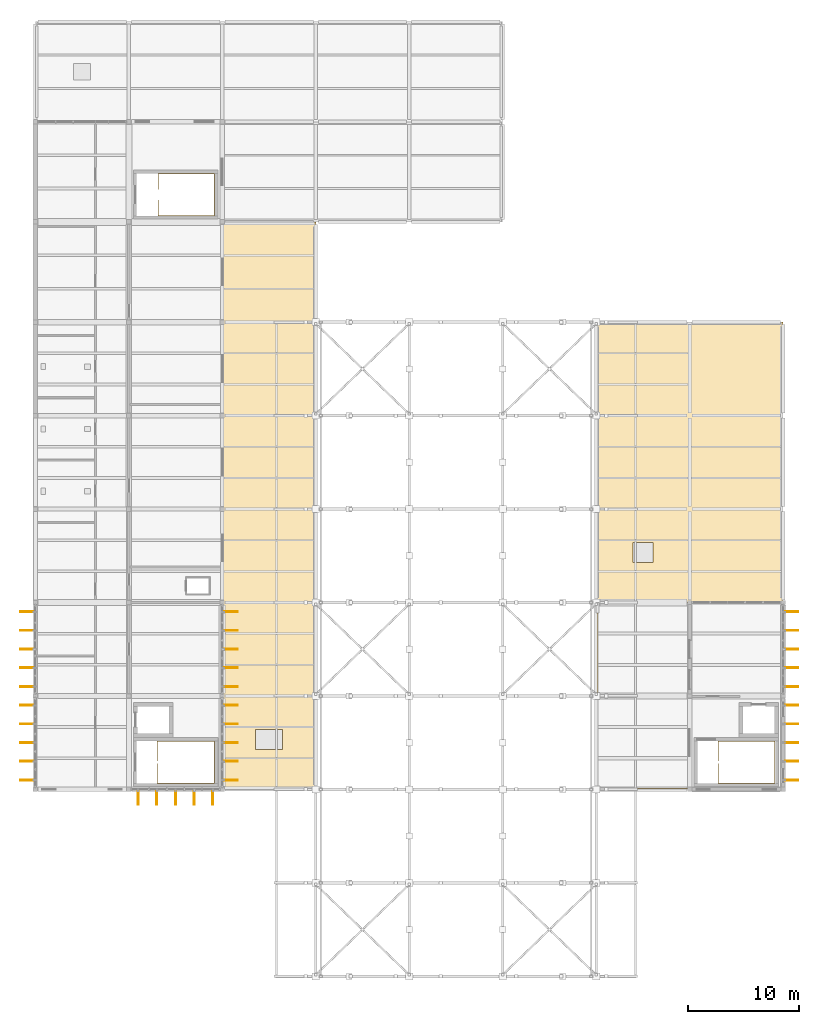
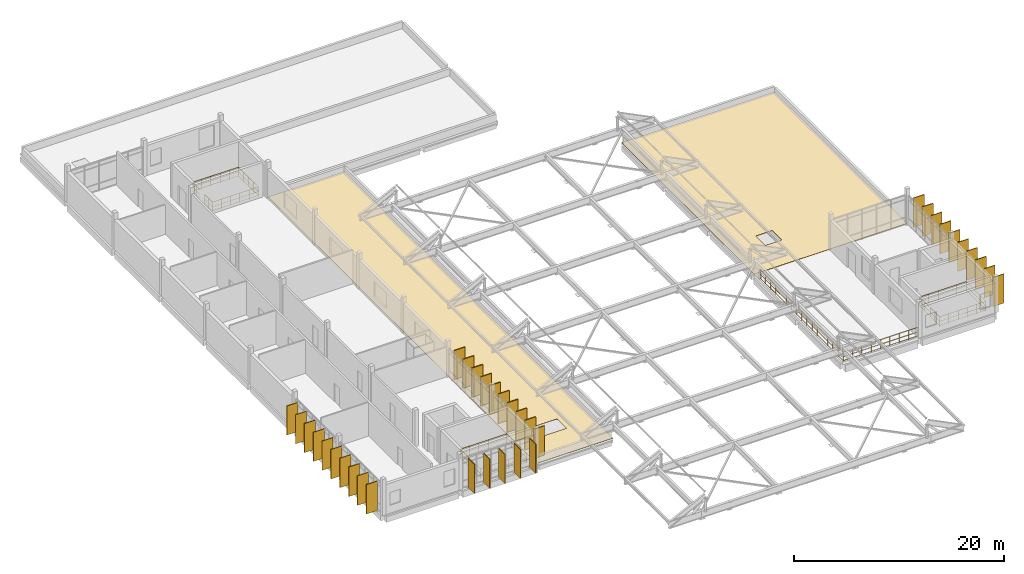
# One storey, part 39 of 41: 35 shading devices, 4 railings, 2 coverings.
"""IFC4 building model written with IfcOpenShell, lengths in metres."""

from ifc_helpers import new_model, si_unit, direction, frame, origin, origin_2d, place, context, subcontext, project, spatial, polyline, rectangle, circle, outline, extrude, material, layer, layer_set, material_profile, profile_set, type_object, element, save


model = new_model("IFC4")

# Units and contexts
model_context = context("Model", 3, precision=1e-05, world=origin(), true_north=direction((0.0, 1.0)))
body_context = subcontext(model_context, "Body", "Model", "MODEL_VIEW")
ifc_project = project(units=[si_unit("LENGTHUNIT", "METRE"), si_unit("AREAUNIT", "SQUARE_METRE"), si_unit("VOLUMEUNIT", "CUBIC_METRE"), si_unit("PLANEANGLEUNIT", "RADIAN"), si_unit("MASSUNIT", "GRAM", prefix="KILO")], contexts=[model_context])

# Site, building, storey
site_placement = place(None, origin())
site = spatial("IfcSite", under=ifc_project, at=site_placement, CompositionType="ELEMENT")
building_placement = place(site_placement, origin())
building = spatial("IfcBuilding", under=site, at=building_placement, Name="Vireocrest Preparatory School", CompositionType="ELEMENT")
storey_placement = place(building_placement, frame((0.0, 0.0, 21.60009765625)))
storey = spatial("IfcBuildingStorey", under=building, at=storey_placement, Name="L05", CompositionType="ELEMENT", Elevation=21.60009765625)

# Railings
ifc_material_1 = material(Name="Brushed stainless steel AISI 316", Category="steel")
railing_type = type_object("IfcRailingType", Name="Post-and-Rail Guard Balustrade 1120", PredefinedType="BALUSTRADE", material=ifc_material_1)
railing_1_placement = place(storey_placement, frame((100.719970703125, 43.8798828125, 0.0)))
element("IfcRailing", 1, at=railing_1_placement, inside=storey, type_object=railing_type, Name="Terrace and Deck Guard Balustrade GR1 L05 BOT_L05_TERR", PredefinedType="BALUSTRADE", context=body_context, shape_type="SweptSolid", body=[
    extrude(circle(Radius=0.02392578125, at=origin_2d()), frame((0.0, 0.0, 1.09619140625), z_axis=(-1.0, 0.0, 0.0), x_axis=(0.0, -1.0, 0.0)), (0.0, 0.0, 1.0), 8.18994140625),
    extrude(circle(Radius=0.01806640625, at=origin_2d()), frame((0.0, 0.0, 0.56005859375), z_axis=(-1.0, 0.0, 0.0), x_axis=(0.0, -1.0, 0.0)), (0.0, 0.0, 1.0), 8.18994140625),
    extrude(circle(Radius=0.01806640625, at=origin_2d()), frame((0.0, 0.0, 0.10009765625), z_axis=(-1.0, 0.0, 0.0), x_axis=(0.0, -1.0, 0.0)), (0.0, 0.0, 1.0), 8.18994140625),
    extrude(circle(Radius=0.02392578125, at=origin_2d()), frame((-8.18994140625, 0.0, 1.09619140625), z_axis=(0.0, 1.0, 0.0), x_axis=(-1.0, 0.0, 0.0)), (0.0, 0.0, 1.0), 15.7900390625),
    extrude(circle(Radius=0.01806640625, at=origin_2d()), frame((-8.18994140625, 0.0, 0.56005859375), z_axis=(0.0, 1.0, 0.0), x_axis=(-1.0, 0.0, 0.0)), (0.0, 0.0, 1.0), 15.7900390625),
    extrude(circle(Radius=0.01806640625, at=origin_2d()), frame((-8.18994140625, 0.0, 0.10009765625), z_axis=(0.0, 1.0, 0.0), x_axis=(-1.0, 0.0, 0.0)), (0.0, 0.0, 1.0), 15.7900390625),
    extrude(circle(Radius=0.02099609375, at=origin_2d()), origin(), (0.0, 0.0, 1.0), 1.072021484375),
    extrude(circle(Radius=0.02099609375, at=origin_2d()), frame((-1.023681640625, 0.0, 0.0)), (0.0, 0.0, 1.0), 1.072021484375),
    extrude(circle(Radius=0.02099609375, at=origin_2d()), frame((-2.04736328125, 0.0, 0.0)), (0.0, 0.0, 1.0), 1.072021484375),
    extrude(circle(Radius=0.02099609375, at=origin_2d()), frame((-3.0712890625, 0.0, 0.0)), (0.0, 0.0, 1.0), 1.072021484375),
    extrude(circle(Radius=0.02099609375, at=origin_2d()), frame((-4.094970703125, 0.0, 0.0)), (0.0, 0.0, 1.0), 1.072021484375),
    extrude(circle(Radius=0.02099609375, at=origin_2d()), frame((-5.11865234375, 0.0, 0.0)), (0.0, 0.0, 1.0), 1.072021484375),
    extrude(circle(Radius=0.02099609375, at=origin_2d()), frame((-6.142578125, 0.0, 0.0)), (0.0, 0.0, 1.0), 1.072021484375),
    extrude(circle(Radius=0.02099609375, at=origin_2d()), frame((-7.166259765625, 0.0, 0.0)), (0.0, 0.0, 1.0), 1.072021484375),
    extrude(circle(Radius=0.02099609375, at=origin_2d()), frame((-8.18994140625, 0.0, 0.0)), (0.0, 0.0, 1.0), 1.072021484375),
    extrude(circle(Radius=0.02099609375, at=origin_2d()), frame((-8.18994140625, 0.98681640625, 0.0)), (0.0, 0.0, 1.0), 1.072021484375),
    extrude(circle(Radius=0.02099609375, at=origin_2d()), frame((-8.18994140625, 1.9736328125, 0.0)), (0.0, 0.0, 1.0), 1.072021484375),
    extrude(circle(Radius=0.02099609375, at=origin_2d()), frame((-8.18994140625, 2.960693359375, 0.0)), (0.0, 0.0, 1.0), 1.072021484375),
    extrude(circle(Radius=0.02099609375, at=origin_2d()), frame((-8.18994140625, 3.947509765625, 0.0)), (0.0, 0.0, 1.0), 1.072021484375),
    extrude(circle(Radius=0.02099609375, at=origin_2d()), frame((-8.18994140625, 4.934326171875, 0.0)), (0.0, 0.0, 1.0), 1.072021484375),
    extrude(circle(Radius=0.02099609375, at=origin_2d()), frame((-8.18994140625, 5.92138671875, 0.0)), (0.0, 0.0, 1.0), 1.072021484375),
    extrude(circle(Radius=0.02099609375, at=origin_2d()), frame((-8.18994140625, 6.908203125, 0.0)), (0.0, 0.0, 1.0), 1.072021484375),
    extrude(circle(Radius=0.02099609375, at=origin_2d()), frame((-8.18994140625, 7.89501953125, 0.0)), (0.0, 0.0, 1.0), 1.072021484375),
    extrude(circle(Radius=0.02099609375, at=origin_2d()), frame((-8.18994140625, 8.8818359375, 0.0)), (0.0, 0.0, 1.0), 1.072021484375),
    extrude(circle(Radius=0.02099609375, at=origin_2d()), frame((-8.18994140625, 9.86865234375, 0.0)), (0.0, 0.0, 1.0), 1.072021484375),
    extrude(circle(Radius=0.02099609375, at=origin_2d()), frame((-8.18994140625, 10.855712890625, 0.0)), (0.0, 0.0, 1.0), 1.072021484375),
    extrude(circle(Radius=0.02099609375, at=origin_2d()), frame((-8.18994140625, 11.842529296875, 0.0)), (0.0, 0.0, 1.0), 1.072021484375),
    extrude(circle(Radius=0.02099609375, at=origin_2d()), frame((-8.18994140625, 12.829345703125, 0.0)), (0.0, 0.0, 1.0), 1.072021484375),
    extrude(circle(Radius=0.02099609375, at=origin_2d()), frame((-8.18994140625, 13.81640625, 0.0)), (0.0, 0.0, 1.0), 1.072021484375),
    extrude(circle(Radius=0.02099609375, at=origin_2d()), frame((-8.18994140625, 14.80322265625, 0.0)), (0.0, 0.0, 1.0), 1.072021484375),
    extrude(circle(Radius=0.02099609375, at=origin_2d()), frame((-8.18994140625, 15.7900390625, 0.0)), (0.0, 0.0, 1.0), 1.072021484375),
])
railing_2_placement = place(storey_placement, frame((52.969970703125, 46.3701171875, 0.0)))
element("IfcRailing", 2, at=railing_2_placement, inside=storey, type_object=railing_type, Name="Top Stairwell Perimeter Guard ST1 L05", PredefinedType="BALUSTRADE", context=body_context, shape_type="SweptSolid", body=[
    extrude(circle(Radius=0.02392578125, at=origin_2d()), frame((0.0, 0.0, 1.09619140625), z_axis=(0.0, 1.0, 0.0), x_axis=(-1.0, 0.0, 0.0)), (0.0, 0.0, 1.0), 1.769775390625),
    extrude(circle(Radius=0.01806640625, at=origin_2d()), frame((0.0, 0.0, 0.56005859375), z_axis=(0.0, 1.0, 0.0), x_axis=(-1.0, 0.0, 0.0)), (0.0, 0.0, 1.0), 1.769775390625),
    extrude(circle(Radius=0.01806640625, at=origin_2d()), frame((0.0, 0.0, 0.10009765625), z_axis=(0.0, 1.0, 0.0), x_axis=(-1.0, 0.0, 0.0)), (0.0, 0.0, 1.0), 1.769775390625),
    extrude(circle(Radius=0.02392578125, at=origin_2d()), frame((0.0, 1.769775390625, 1.09619140625), z_axis=(1.0, 0.0, 0.0), x_axis=(0.0, 1.0, 0.0)), (0.0, 0.0, 1.0), 5.090087890625),
    extrude(circle(Radius=0.01806640625, at=origin_2d()), frame((0.0, 1.769775390625, 0.56005859375), z_axis=(1.0, 0.0, 0.0), x_axis=(0.0, 1.0, 0.0)), (0.0, 0.0, 1.0), 5.090087890625),
    extrude(circle(Radius=0.01806640625, at=origin_2d()), frame((0.0, 1.769775390625, 0.10009765625), z_axis=(1.0, 0.0, 0.0), x_axis=(0.0, 1.0, 0.0)), (0.0, 0.0, 1.0), 5.090087890625),
    extrude(circle(Radius=0.02392578125, at=origin_2d()), frame((5.090087890625, 1.769775390625, 1.09619140625), z_axis=(0.0, -1.0, 0.0), x_axis=(1.0, 0.0, 0.0)), (0.0, 0.0, 1.0), 3.77978515625),
    extrude(circle(Radius=0.01806640625, at=origin_2d()), frame((5.090087890625, 1.769775390625, 0.56005859375), z_axis=(0.0, -1.0, 0.0), x_axis=(1.0, 0.0, 0.0)), (0.0, 0.0, 1.0), 3.77978515625),
    extrude(circle(Radius=0.01806640625, at=origin_2d()), frame((5.090087890625, 1.769775390625, 0.10009765625), z_axis=(0.0, -1.0, 0.0), x_axis=(1.0, 0.0, 0.0)), (0.0, 0.0, 1.0), 3.77978515625),
    extrude(circle(Radius=0.02392578125, at=origin_2d()), frame((5.090087890625, -2.010009765625, 1.09619140625), z_axis=(-1.0, 0.0, 0.0), x_axis=(0.0, -1.0, 0.0)), (0.0, 0.0, 1.0), 5.090087890625),
    extrude(circle(Radius=0.01806640625, at=origin_2d()), frame((5.090087890625, -2.010009765625, 0.56005859375), z_axis=(-1.0, 0.0, 0.0), x_axis=(0.0, -1.0, 0.0)), (0.0, 0.0, 1.0), 5.090087890625),
    extrude(circle(Radius=0.01806640625, at=origin_2d()), frame((5.090087890625, -2.010009765625, 0.10009765625), z_axis=(-1.0, 0.0, 0.0), x_axis=(0.0, -1.0, 0.0)), (0.0, 0.0, 1.0), 5.090087890625),
    extrude(circle(Radius=0.02392578125, at=origin_2d()), frame((0.0, -2.010009765625, 1.09619140625), z_axis=(0.0, 1.0, 0.0), x_axis=(-1.0, 0.0, 0.0)), (0.0, 0.0, 1.0), 1.769775390625),
    extrude(circle(Radius=0.01806640625, at=origin_2d()), frame((0.0, -2.010009765625, 0.56005859375), z_axis=(0.0, 1.0, 0.0), x_axis=(-1.0, 0.0, 0.0)), (0.0, 0.0, 1.0), 1.769775390625),
    extrude(circle(Radius=0.01806640625, at=origin_2d()), frame((0.0, -2.010009765625, 0.10009765625), z_axis=(0.0, 1.0, 0.0), x_axis=(-1.0, 0.0, 0.0)), (0.0, 0.0, 1.0), 1.769775390625),
    extrude(circle(Radius=0.02099609375, at=origin_2d()), origin(), (0.0, 0.0, 1.0), 1.072021484375),
    extrude(circle(Radius=0.02099609375, at=origin_2d()), frame((0.0, 0.884765625, 0.0)), (0.0, 0.0, 1.0), 1.072021484375),
    extrude(circle(Radius=0.02099609375, at=origin_2d()), frame((0.0, 1.769775390625, 0.0)), (0.0, 0.0, 1.0), 1.072021484375),
    extrude(circle(Radius=0.02099609375, at=origin_2d()), frame((1.01806640625, 1.769775390625, 0.0)), (0.0, 0.0, 1.0), 1.072021484375),
    extrude(circle(Radius=0.02099609375, at=origin_2d()), frame((2.0361328125, 1.769775390625, 0.0)), (0.0, 0.0, 1.0), 1.072021484375),
    extrude(circle(Radius=0.02099609375, at=origin_2d()), frame((3.053955078125, 1.769775390625, 0.0)), (0.0, 0.0, 1.0), 1.072021484375),
    extrude(circle(Radius=0.02099609375, at=origin_2d()), frame((4.072021484375, 1.769775390625, 0.0)), (0.0, 0.0, 1.0), 1.072021484375),
    extrude(circle(Radius=0.02099609375, at=origin_2d()), frame((5.090087890625, 1.769775390625, 0.0)), (0.0, 0.0, 1.0), 1.072021484375),
    extrude(circle(Radius=0.02099609375, at=origin_2d()), frame((5.090087890625, 0.82470703125, 0.0)), (0.0, 0.0, 1.0), 1.072021484375),
    extrude(circle(Radius=0.02099609375, at=origin_2d()), frame((5.090087890625, -0.1201171875, 0.0)), (0.0, 0.0, 1.0), 1.072021484375),
    extrude(circle(Radius=0.02099609375, at=origin_2d()), frame((5.090087890625, -1.06494140625, 0.0)), (0.0, 0.0, 1.0), 1.072021484375),
    extrude(circle(Radius=0.02099609375, at=origin_2d()), frame((5.090087890625, -2.010009765625, 0.0)), (0.0, 0.0, 1.0), 1.072021484375),
    extrude(circle(Radius=0.02099609375, at=origin_2d()), frame((4.072021484375, -2.010009765625, 0.0)), (0.0, 0.0, 1.0), 1.072021484375),
    extrude(circle(Radius=0.02099609375, at=origin_2d()), frame((3.053955078125, -2.010009765625, 0.0)), (0.0, 0.0, 1.0), 1.072021484375),
    extrude(circle(Radius=0.02099609375, at=origin_2d()), frame((2.0361328125, -2.010009765625, 0.0)), (0.0, 0.0, 1.0), 1.072021484375),
    extrude(circle(Radius=0.02099609375, at=origin_2d()), frame((1.01806640625, -2.010009765625, 0.0)), (0.0, 0.0, 1.0), 1.072021484375),
    extrude(circle(Radius=0.02099609375, at=origin_2d()), frame((0.0, -2.010009765625, 0.0)), (0.0, 0.0, 1.0), 1.072021484375),
    extrude(circle(Radius=0.02099609375, at=origin_2d()), frame((0.0, -1.125, 0.0)), (0.0, 0.0, 1.0), 1.072021484375),
    extrude(circle(Radius=0.02099609375, at=origin_2d()), frame((0.0, -0.240234375, 0.0)), (0.0, 0.0, 1.0), 1.072021484375),
])
railing_3_placement = place(storey_placement, frame((103.3701171875, 46.3701171875, 0.0)))
element("IfcRailing", 3, at=railing_3_placement, inside=storey, type_object=railing_type, Name="Top Stairwell Perimeter Guard ST2 L05", PredefinedType="BALUSTRADE", context=body_context, shape_type="SweptSolid", body=[
    extrude(circle(Radius=0.02392578125, at=origin_2d()), frame((0.0, 0.0, 1.09619140625), z_axis=(0.0, 1.0, 0.0), x_axis=(-1.0, 0.0, 0.0)), (0.0, 0.0, 1.0), 1.769775390625),
    extrude(circle(Radius=0.01806640625, at=origin_2d()), frame((0.0, 0.0, 0.56005859375), z_axis=(0.0, 1.0, 0.0), x_axis=(-1.0, 0.0, 0.0)), (0.0, 0.0, 1.0), 1.769775390625),
    extrude(circle(Radius=0.01806640625, at=origin_2d()), frame((0.0, 0.0, 0.10009765625), z_axis=(0.0, 1.0, 0.0), x_axis=(-1.0, 0.0, 0.0)), (0.0, 0.0, 1.0), 1.769775390625),
    extrude(circle(Radius=0.02392578125, at=origin_2d()), frame((0.0, 1.769775390625, 1.09619140625), z_axis=(1.0, 0.0, 0.0), x_axis=(0.0, 1.0, 0.0)), (0.0, 0.0, 1.0), 5.08984375),
    extrude(circle(Radius=0.01806640625, at=origin_2d()), frame((0.0, 1.769775390625, 0.56005859375), z_axis=(1.0, 0.0, 0.0), x_axis=(0.0, 1.0, 0.0)), (0.0, 0.0, 1.0), 5.08984375),
    extrude(circle(Radius=0.01806640625, at=origin_2d()), frame((0.0, 1.769775390625, 0.10009765625), z_axis=(1.0, 0.0, 0.0), x_axis=(0.0, 1.0, 0.0)), (0.0, 0.0, 1.0), 5.08984375),
    extrude(circle(Radius=0.02392578125, at=origin_2d()), frame((5.08984375, 1.769775390625, 1.09619140625), z_axis=(0.0, -1.0, 0.0), x_axis=(1.0, 0.0, 0.0)), (0.0, 0.0, 1.0), 3.77978515625),
    extrude(circle(Radius=0.01806640625, at=origin_2d()), frame((5.08984375, 1.769775390625, 0.56005859375), z_axis=(0.0, -1.0, 0.0), x_axis=(1.0, 0.0, 0.0)), (0.0, 0.0, 1.0), 3.77978515625),
    extrude(circle(Radius=0.01806640625, at=origin_2d()), frame((5.08984375, 1.769775390625, 0.10009765625), z_axis=(0.0, -1.0, 0.0), x_axis=(1.0, 0.0, 0.0)), (0.0, 0.0, 1.0), 3.77978515625),
    extrude(circle(Radius=0.02392578125, at=origin_2d()), frame((5.08984375, -2.010009765625, 1.09619140625), z_axis=(-1.0, 0.0, 0.0), x_axis=(0.0, -1.0, 0.0)), (0.0, 0.0, 1.0), 5.08984375),
    extrude(circle(Radius=0.01806640625, at=origin_2d()), frame((5.08984375, -2.010009765625, 0.56005859375), z_axis=(-1.0, 0.0, 0.0), x_axis=(0.0, -1.0, 0.0)), (0.0, 0.0, 1.0), 5.08984375),
    extrude(circle(Radius=0.01806640625, at=origin_2d()), frame((5.08984375, -2.010009765625, 0.10009765625), z_axis=(-1.0, 0.0, 0.0), x_axis=(0.0, -1.0, 0.0)), (0.0, 0.0, 1.0), 5.08984375),
    extrude(circle(Radius=0.02392578125, at=origin_2d()), frame((0.0, -2.010009765625, 1.09619140625), z_axis=(0.0, 1.0, 0.0), x_axis=(-1.0, 0.0, 0.0)), (0.0, 0.0, 1.0), 1.769775390625),
    extrude(circle(Radius=0.01806640625, at=origin_2d()), frame((0.0, -2.010009765625, 0.56005859375), z_axis=(0.0, 1.0, 0.0), x_axis=(-1.0, 0.0, 0.0)), (0.0, 0.0, 1.0), 1.769775390625),
    extrude(circle(Radius=0.01806640625, at=origin_2d()), frame((0.0, -2.010009765625, 0.10009765625), z_axis=(0.0, 1.0, 0.0), x_axis=(-1.0, 0.0, 0.0)), (0.0, 0.0, 1.0), 1.769775390625),
    extrude(circle(Radius=0.02099609375, at=origin_2d()), origin(), (0.0, 0.0, 1.0), 1.072021484375),
    extrude(circle(Radius=0.02099609375, at=origin_2d()), frame((0.0, 0.884765625, 0.0)), (0.0, 0.0, 1.0), 1.072021484375),
    extrude(circle(Radius=0.02099609375, at=origin_2d()), frame((0.0, 1.769775390625, 0.0)), (0.0, 0.0, 1.0), 1.072021484375),
    extrude(circle(Radius=0.02099609375, at=origin_2d()), frame((1.01806640625, 1.769775390625, 0.0)), (0.0, 0.0, 1.0), 1.072021484375),
    extrude(circle(Radius=0.02099609375, at=origin_2d()), frame((2.035888671875, 1.769775390625, 0.0)), (0.0, 0.0, 1.0), 1.072021484375),
    extrude(circle(Radius=0.02099609375, at=origin_2d()), frame((3.053955078125, 1.769775390625, 0.0)), (0.0, 0.0, 1.0), 1.072021484375),
    extrude(circle(Radius=0.02099609375, at=origin_2d()), frame((4.07177734375, 1.769775390625, 0.0)), (0.0, 0.0, 1.0), 1.072021484375),
    extrude(circle(Radius=0.02099609375, at=origin_2d()), frame((5.08984375, 1.769775390625, 0.0)), (0.0, 0.0, 1.0), 1.072021484375),
    extrude(circle(Radius=0.02099609375, at=origin_2d()), frame((5.08984375, 0.82470703125, 0.0)), (0.0, 0.0, 1.0), 1.072021484375),
    extrude(circle(Radius=0.02099609375, at=origin_2d()), frame((5.08984375, -0.1201171875, 0.0)), (0.0, 0.0, 1.0), 1.072021484375),
    extrude(circle(Radius=0.02099609375, at=origin_2d()), frame((5.08984375, -1.06494140625, 0.0)), (0.0, 0.0, 1.0), 1.072021484375),
    extrude(circle(Radius=0.02099609375, at=origin_2d()), frame((5.08984375, -2.010009765625, 0.0)), (0.0, 0.0, 1.0), 1.072021484375),
    extrude(circle(Radius=0.02099609375, at=origin_2d()), frame((4.07177734375, -2.010009765625, 0.0)), (0.0, 0.0, 1.0), 1.072021484375),
    extrude(circle(Radius=0.02099609375, at=origin_2d()), frame((3.053955078125, -2.010009765625, 0.0)), (0.0, 0.0, 1.0), 1.072021484375),
    extrude(circle(Radius=0.02099609375, at=origin_2d()), frame((2.035888671875, -2.010009765625, 0.0)), (0.0, 0.0, 1.0), 1.072021484375),
    extrude(circle(Radius=0.02099609375, at=origin_2d()), frame((1.01806640625, -2.010009765625, 0.0)), (0.0, 0.0, 1.0), 1.072021484375),
    extrude(circle(Radius=0.02099609375, at=origin_2d()), frame((0.0, -2.010009765625, 0.0)), (0.0, 0.0, 1.0), 1.072021484375),
    extrude(circle(Radius=0.02099609375, at=origin_2d()), frame((0.0, -1.125, 0.0)), (0.0, 0.0, 1.0), 1.072021484375),
    extrude(circle(Radius=0.02099609375, at=origin_2d()), frame((0.0, -0.240234375, 0.0)), (0.0, 0.0, 1.0), 1.072021484375),
])
railing_4_placement = place(storey_placement, frame((53.02490234375, 97.719970703125, 0.0)))
element("IfcRailing", 4, at=railing_4_placement, inside=storey, type_object=railing_type, Name="Top Stairwell Perimeter Guard ST3 L05", PredefinedType="BALUSTRADE", context=body_context, shape_type="SweptSolid", body=[
    extrude(circle(Radius=0.02392578125, at=origin_2d()), frame((0.0, 0.0, 1.09619140625), z_axis=(0.0, 1.0, 0.0), x_axis=(-1.0, 0.0, 0.0)), (0.0, 0.0, 1.0), 1.419921875),
    extrude(circle(Radius=0.01806640625, at=origin_2d()), frame((0.0, 0.0, 0.56005859375), z_axis=(0.0, 1.0, 0.0), x_axis=(-1.0, 0.0, 0.0)), (0.0, 0.0, 1.0), 1.419921875),
    extrude(circle(Radius=0.01806640625, at=origin_2d()), frame((0.0, 0.0, 0.10009765625), z_axis=(0.0, 1.0, 0.0), x_axis=(-1.0, 0.0, 0.0)), (0.0, 0.0, 1.0), 1.419921875),
    extrude(circle(Radius=0.02392578125, at=origin_2d()), frame((0.0, 1.419921875, 1.09619140625), z_axis=(1.0, 0.0, 0.0), x_axis=(0.0, 1.0, 0.0)), (0.0, 0.0, 1.0), 5.03515625),
    extrude(circle(Radius=0.01806640625, at=origin_2d()), frame((0.0, 1.419921875, 0.56005859375), z_axis=(1.0, 0.0, 0.0), x_axis=(0.0, 1.0, 0.0)), (0.0, 0.0, 1.0), 5.03515625),
    extrude(circle(Radius=0.01806640625, at=origin_2d()), frame((0.0, 1.419921875, 0.10009765625), z_axis=(1.0, 0.0, 0.0), x_axis=(0.0, 1.0, 0.0)), (0.0, 0.0, 1.0), 5.03515625),
    extrude(circle(Radius=0.02392578125, at=origin_2d()), frame((5.03515625, 1.419921875, 1.09619140625), z_axis=(0.0, -1.0, 0.0), x_axis=(1.0, 0.0, 0.0)), (0.0, 0.0, 1.0), 3.77978515625),
    extrude(circle(Radius=0.01806640625, at=origin_2d()), frame((5.03515625, 1.419921875, 0.56005859375), z_axis=(0.0, -1.0, 0.0), x_axis=(1.0, 0.0, 0.0)), (0.0, 0.0, 1.0), 3.77978515625),
    extrude(circle(Radius=0.01806640625, at=origin_2d()), frame((5.03515625, 1.419921875, 0.10009765625), z_axis=(0.0, -1.0, 0.0), x_axis=(1.0, 0.0, 0.0)), (0.0, 0.0, 1.0), 3.77978515625),
    extrude(circle(Radius=0.02392578125, at=origin_2d()), frame((5.03515625, -2.35986328125, 1.09619140625), z_axis=(-1.0, 0.0, 0.0), x_axis=(0.0, -1.0, 0.0)), (0.0, 0.0, 1.0), 5.03515625),
    extrude(circle(Radius=0.01806640625, at=origin_2d()), frame((5.03515625, -2.35986328125, 0.56005859375), z_axis=(-1.0, 0.0, 0.0), x_axis=(0.0, -1.0, 0.0)), (0.0, 0.0, 1.0), 5.03515625),
    extrude(circle(Radius=0.01806640625, at=origin_2d()), frame((5.03515625, -2.35986328125, 0.10009765625), z_axis=(-1.0, 0.0, 0.0), x_axis=(0.0, -1.0, 0.0)), (0.0, 0.0, 1.0), 5.03515625),
    extrude(circle(Radius=0.02392578125, at=origin_2d()), frame((0.0, -2.35986328125, 1.09619140625), z_axis=(0.0, 1.0, 0.0), x_axis=(-1.0, 0.0, 0.0)), (0.0, 0.0, 1.0), 1.419921875),
    extrude(circle(Radius=0.01806640625, at=origin_2d()), frame((0.0, -2.35986328125, 0.56005859375), z_axis=(0.0, 1.0, 0.0), x_axis=(-1.0, 0.0, 0.0)), (0.0, 0.0, 1.0), 1.419921875),
    extrude(circle(Radius=0.01806640625, at=origin_2d()), frame((0.0, -2.35986328125, 0.10009765625), z_axis=(0.0, 1.0, 0.0), x_axis=(-1.0, 0.0, 0.0)), (0.0, 0.0, 1.0), 1.419921875),
    extrude(circle(Radius=0.02099609375, at=origin_2d()), origin(), (0.0, 0.0, 1.0), 1.072021484375),
    extrude(circle(Radius=0.02099609375, at=origin_2d()), frame((0.0, 0.7099609375, 0.0)), (0.0, 0.0, 1.0), 1.072021484375),
    extrude(circle(Radius=0.02099609375, at=origin_2d()), frame((0.0, 1.419921875, 0.0)), (0.0, 0.0, 1.0), 1.072021484375),
    extrude(circle(Radius=0.02099609375, at=origin_2d()), frame((1.007080078125, 1.419921875, 0.0)), (0.0, 0.0, 1.0), 1.072021484375),
    extrude(circle(Radius=0.02099609375, at=origin_2d()), frame((2.01416015625, 1.419921875, 0.0)), (0.0, 0.0, 1.0), 1.072021484375),
    extrude(circle(Radius=0.02099609375, at=origin_2d()), frame((3.02099609375, 1.419921875, 0.0)), (0.0, 0.0, 1.0), 1.072021484375),
    extrude(circle(Radius=0.02099609375, at=origin_2d()), frame((4.028076171875, 1.419921875, 0.0)), (0.0, 0.0, 1.0), 1.072021484375),
    extrude(circle(Radius=0.02099609375, at=origin_2d()), frame((5.03515625, 1.419921875, 0.0)), (0.0, 0.0, 1.0), 1.072021484375),
    extrude(circle(Radius=0.02099609375, at=origin_2d()), frame((5.03515625, 0.47509765625, 0.0)), (0.0, 0.0, 1.0), 1.072021484375),
    extrude(circle(Radius=0.02099609375, at=origin_2d()), frame((5.03515625, -0.469970703125, 0.0)), (0.0, 0.0, 1.0), 1.072021484375),
    extrude(circle(Radius=0.02099609375, at=origin_2d()), frame((5.03515625, -1.4150390625, 0.0)), (0.0, 0.0, 1.0), 1.072021484375),
    extrude(circle(Radius=0.02099609375, at=origin_2d()), frame((5.03515625, -2.35986328125, 0.0)), (0.0, 0.0, 1.0), 1.072021484375),
    extrude(circle(Radius=0.02099609375, at=origin_2d()), frame((4.028076171875, -2.35986328125, 0.0)), (0.0, 0.0, 1.0), 1.072021484375),
    extrude(circle(Radius=0.02099609375, at=origin_2d()), frame((3.02099609375, -2.35986328125, 0.0)), (0.0, 0.0, 1.0), 1.072021484375),
    extrude(circle(Radius=0.02099609375, at=origin_2d()), frame((2.01416015625, -2.35986328125, 0.0)), (0.0, 0.0, 1.0), 1.072021484375),
    extrude(circle(Radius=0.02099609375, at=origin_2d()), frame((1.007080078125, -2.35986328125, 0.0)), (0.0, 0.0, 1.0), 1.072021484375),
    extrude(circle(Radius=0.02099609375, at=origin_2d()), frame((0.0, -2.35986328125, 0.0)), (0.0, 0.0, 1.0), 1.072021484375),
    extrude(circle(Radius=0.02099609375, at=origin_2d()), frame((0.0, -1.64990234375, 0.0)), (0.0, 0.0, 1.0), 1.072021484375),
    extrude(circle(Radius=0.02099609375, at=origin_2d()), frame((0.0, -0.93994140625, 0.0)), (0.0, 0.0, 1.0), 1.072021484375),
])

# Coverings
ifc_material_2 = material(Name="TPO single-ply insulated roofing membrane")
ifc_layer = layer(ifc_material_2, 0.030029296875)
ifc_layer_set = layer_set([ifc_layer], Name="TPO single-ply insulated roofing membrane")
covering_type = type_object("IfcCoveringType", Name="TPO Insulated Single-Ply Roof Membrane", PredefinedType="ROOFING", material=ifc_layer_set)
covering_1_placement = place(storey_placement, origin())
element("IfcCovering", 5, at=covering_1_placement, inside=storey, type_object=covering_type, Name="Roof Membrane L05_WEST_COURT_ROOF", PredefinedType="ROOFING", context=body_context, shape_type="SweptSolid", body=[
    extrude(outline(polyline([(58.800048828125, 43.800048828125), (67.199951171875, 43.800048828125), (67.199951171875, 94.800048828125), (58.800048828125, 94.800048828125), (58.800048828125, 43.800048828125)]), holes=[polyline([(61.800048828125, 47.39990234375), (64.199951171875, 47.39990234375), (64.199951171875, 49.199951171875), (61.800048828125, 49.199951171875), (61.800048828125, 47.39990234375)])]), origin(), (0.0, 0.0, 1.0), 0.02978515625),
])
covering_2_placement = place(storey_placement, origin())
element("IfcCovering", 6, at=covering_2_placement, inside=storey, type_object=covering_type, Name="Roof Membrane L05_EAST_ROOF", PredefinedType="ROOFING", context=body_context, shape_type="SweptSolid", body=[
    extrude(outline(polyline([(92.39990234375, 60.60009765625), (109.199951171875, 60.60009765625), (109.199951171875, 85.800048828125), (92.39990234375, 85.800048828125), (92.39990234375, 60.60009765625)]), holes=[polyline([(95.699951171875, 64.199951171875), (97.5, 64.199951171875), (97.5, 66.0), (95.699951171875, 66.0), (95.699951171875, 64.199951171875)])]), origin(), (0.0, 0.0, 1.0), 0.02978515625),
])

# Shading devices
ifc_material_3 = material(Name="Warm anodised aluminium EN AW-6063-T6", Category="aluminium")
ifc_material_profile = material_profile(ifc_material_3, rectangle(XDim=0.080078125, YDim=1.199951171875, at=origin_2d()), Name="FIN 80x1200")
ifc_profile_set = profile_set([ifc_material_profile], Name="Warm anodised aluminium EN AW-6063-T6")
shading_device_type = type_object("IfcShadingDeviceType", Name="Vertical Anodised Aluminium Solar Fin 1200", PredefinedType="USERDEFINED", material=ifc_profile_set)
for number, where, z_axis, x_axis, name in (
    (7, (109.97998046875, 44.639892578125, 0.02001953125), (0.0, 0.0, 1.0), (0.0, -1.0, 0.0), "Vertical Solar Fin FN1 L05-62-1"),
    (8, (109.97998046875, 46.320068359375, 0.02001953125), (0.0, 0.0, 1.0), (0.0, -1.0, 0.0), "Vertical Solar Fin FN1 L05-62-2"),
    (9, (109.97998046875, 48.0, 0.02001953125), (0.0, 0.0, 1.0), (0.0, -1.0, 0.0), "Vertical Solar Fin FN1 L05-62-3"),
    (10, (109.97998046875, 49.679931640625, 0.02001953125), (0.0, 0.0, 1.0), (0.0, -1.0, 0.0), "Vertical Solar Fin FN1 L05-62-4"),
    (11, (109.97998046875, 51.360107421875, 0.02001953125), (0.0, 0.0, 1.0), (0.0, -1.0, 0.0), "Vertical Solar Fin FN1 L05-62-5"),
):
    element("IfcShadingDevice", number, at=place(storey_placement, frame(where, z_axis=z_axis, x_axis=x_axis)), inside=storey, type_object=shading_device_type, Name=name, ObjectType="FIN", PredefinedType="USERDEFINED", context=body_context, shape_type="SweptSolid", body=[
        extrude(rectangle(XDim=0.080078125, YDim=1.199951171875, at=origin_2d()), origin(), (0.0, 0.0, 1.0), 3.369873046875),
    ])
for number, where, z_axis, x_axis, name in (
    (12, (109.97998046875, 53.0400390625, 0.02001953125), (0.0, 0.0, 1.0), (0.0, -1.0, 0.0), "Vertical Solar Fin FN1 L05-63-1"),
    (13, (109.97998046875, 54.719970703125, 0.02001953125), (0.0, 0.0, 1.0), (0.0, -1.0, 0.0), "Vertical Solar Fin FN1 L05-63-2"),
    (14, (109.97998046875, 56.39990234375, 0.02001953125), (0.0, 0.0, 1.0), (0.0, -1.0, 0.0), "Vertical Solar Fin FN1 L05-63-3"),
    (15, (109.97998046875, 58.080078125, 0.02001953125), (0.0, 0.0, 1.0), (0.0, -1.0, 0.0), "Vertical Solar Fin FN1 L05-63-4"),
    (16, (109.97998046875, 59.760009765625, 0.02001953125), (0.0, 0.0, 1.0), (0.0, -1.0, 0.0), "Vertical Solar Fin FN1 L05-63-5"),
):
    element("IfcShadingDevice", number, at=place(storey_placement, frame(where, z_axis=z_axis, x_axis=x_axis)), inside=storey, type_object=shading_device_type, Name=name, ObjectType="FIN", PredefinedType="USERDEFINED", context=body_context, shape_type="SweptSolid", body=[
        extrude(rectangle(XDim=0.080078125, YDim=1.199951171875, at=origin_2d()), origin(), (0.0, 0.0, 1.0), 3.419921875),
    ])
for number, where, z_axis, x_axis, name in (
    (17, (51.239990234375, 43.02001953125, 0.02001953125), (0.0, 0.0, 1.0), (-1.0, 0.0, 0.0), "Vertical Solar Fin FN1 L05-64-1"),
    (18, (52.919921875, 43.02001953125, 0.02001953125), (0.0, 0.0, 1.0), (-1.0, 0.0, 0.0), "Vertical Solar Fin FN1 L05-64-2"),
    (19, (54.60009765625, 43.02001953125, 0.02001953125), (0.0, 0.0, 1.0), (-1.0, 0.0, 0.0), "Vertical Solar Fin FN1 L05-64-3"),
    (20, (56.280029296875, 43.02001953125, 0.02001953125), (0.0, 0.0, 1.0), (-1.0, 0.0, 0.0), "Vertical Solar Fin FN1 L05-64-4"),
    (21, (57.9599609375, 43.02001953125, 0.02001953125), (0.0, 0.0, 1.0), (-1.0, 0.0, 0.0), "Vertical Solar Fin FN1 L05-64-5"),
):
    element("IfcShadingDevice", number, at=place(storey_placement, frame(where, z_axis=z_axis, x_axis=x_axis)), inside=storey, type_object=shading_device_type, Name=name, ObjectType="FIN", PredefinedType="USERDEFINED", context=body_context, shape_type="SweptSolid", body=[
        extrude(rectangle(XDim=0.080078125, YDim=1.199951171875, at=origin_2d()), origin(), (0.0, 0.0, 1.0), 3.369873046875),
    ])
for number, where, z_axis, x_axis, name in (
    (22, (59.580078125, 44.639892578125, 0.02001953125), (0.0, 0.0, 1.0), (0.0, -1.0, 0.0), "Vertical Solar Fin FN1 L05-65-1"),
    (23, (59.580078125, 46.320068359375, 0.02001953125), (0.0, 0.0, 1.0), (0.0, -1.0, 0.0), "Vertical Solar Fin FN1 L05-65-2"),
    (24, (59.580078125, 48.0, 0.02001953125), (0.0, 0.0, 1.0), (0.0, -1.0, 0.0), "Vertical Solar Fin FN1 L05-65-3"),
    (25, (59.580078125, 49.679931640625, 0.02001953125), (0.0, 0.0, 1.0), (0.0, -1.0, 0.0), "Vertical Solar Fin FN1 L05-65-4"),
    (26, (59.580078125, 51.360107421875, 0.02001953125), (0.0, 0.0, 1.0), (0.0, -1.0, 0.0), "Vertical Solar Fin FN1 L05-65-5"),
):
    element("IfcShadingDevice", number, at=place(storey_placement, frame(where, z_axis=z_axis, x_axis=x_axis)), inside=storey, type_object=shading_device_type, Name=name, ObjectType="FIN", PredefinedType="USERDEFINED", context=body_context, shape_type="SweptSolid", body=[
        extrude(rectangle(XDim=0.080078125, YDim=1.199951171875, at=origin_2d()), origin(), (0.0, 0.0, 1.0), 3.419921875),
    ])
for number, where, z_axis, x_axis, name in (
    (27, (59.580078125, 53.0400390625, 0.02001953125), (0.0, 0.0, 1.0), (0.0, -1.0, 0.0), "Vertical Solar Fin FN1 L05-66-1"),
    (28, (59.580078125, 54.719970703125, 0.02001953125), (0.0, 0.0, 1.0), (0.0, -1.0, 0.0), "Vertical Solar Fin FN1 L05-66-2"),
    (29, (59.580078125, 56.39990234375, 0.02001953125), (0.0, 0.0, 1.0), (0.0, -1.0, 0.0), "Vertical Solar Fin FN1 L05-66-3"),
    (30, (59.580078125, 58.080078125, 0.02001953125), (0.0, 0.0, 1.0), (0.0, -1.0, 0.0), "Vertical Solar Fin FN1 L05-66-4"),
    (31, (59.580078125, 59.760009765625, 0.02001953125), (0.0, 0.0, 1.0), (0.0, -1.0, 0.0), "Vertical Solar Fin FN1 L05-66-5"),
):
    element("IfcShadingDevice", number, at=place(storey_placement, frame(where, z_axis=z_axis, x_axis=x_axis)), inside=storey, type_object=shading_device_type, Name=name, ObjectType="FIN", PredefinedType="USERDEFINED", context=body_context, shape_type="SweptSolid", body=[
        extrude(rectangle(XDim=0.080078125, YDim=1.199951171875, at=origin_2d()), origin(), (0.0, 0.0, 1.0), 3.369873046875),
    ])
for number, where, z_axis, x_axis, name in (
    (32, (41.219970703125, 44.639892578125, 0.02001953125), (0.0, 0.0, 1.0), (0.0, 1.0, 0.0), "Vertical Solar Fin FN1 L05-67-1"),
    (33, (41.219970703125, 46.320068359375, 0.02001953125), (0.0, 0.0, 1.0), (0.0, 1.0, 0.0), "Vertical Solar Fin FN1 L05-67-2"),
    (34, (41.219970703125, 48.0, 0.02001953125), (0.0, 0.0, 1.0), (0.0, 1.0, 0.0), "Vertical Solar Fin FN1 L05-67-3"),
    (35, (41.219970703125, 49.679931640625, 0.02001953125), (0.0, 0.0, 1.0), (0.0, 1.0, 0.0), "Vertical Solar Fin FN1 L05-67-4"),
    (36, (41.219970703125, 51.360107421875, 0.02001953125), (0.0, 0.0, 1.0), (0.0, 1.0, 0.0), "Vertical Solar Fin FN1 L05-67-5"),
):
    element("IfcShadingDevice", number, at=place(storey_placement, frame(where, z_axis=z_axis, x_axis=x_axis)), inside=storey, type_object=shading_device_type, Name=name, ObjectType="FIN", PredefinedType="USERDEFINED", context=body_context, shape_type="SweptSolid", body=[
        extrude(rectangle(XDim=0.080078125, YDim=1.199951171875, at=origin_2d()), origin(), (0.0, 0.0, 1.0), 3.419921875),
    ])
for number, where, z_axis, x_axis, name in (
    (37, (41.219970703125, 53.0400390625, 0.02001953125), (0.0, 0.0, 1.0), (0.0, 1.0, 0.0), "Vertical Solar Fin FN1 L05-68-1"),
    (38, (41.219970703125, 54.719970703125, 0.02001953125), (0.0, 0.0, 1.0), (0.0, 1.0, 0.0), "Vertical Solar Fin FN1 L05-68-2"),
    (39, (41.219970703125, 56.39990234375, 0.02001953125), (0.0, 0.0, 1.0), (0.0, 1.0, 0.0), "Vertical Solar Fin FN1 L05-68-3"),
    (40, (41.219970703125, 58.080078125, 0.02001953125), (0.0, 0.0, 1.0), (0.0, 1.0, 0.0), "Vertical Solar Fin FN1 L05-68-4"),
    (41, (41.219970703125, 59.760009765625, 0.02001953125), (0.0, 0.0, 1.0), (0.0, 1.0, 0.0), "Vertical Solar Fin FN1 L05-68-5"),
):
    element("IfcShadingDevice", number, at=place(storey_placement, frame(where, z_axis=z_axis, x_axis=x_axis)), inside=storey, type_object=shading_device_type, Name=name, ObjectType="FIN", PredefinedType="USERDEFINED", context=body_context, shape_type="SweptSolid", body=[
        extrude(rectangle(XDim=0.080078125, YDim=1.199951171875, at=origin_2d()), origin(), (0.0, 0.0, 1.0), 3.369873046875),
    ])

save(model, "model.ifc")
